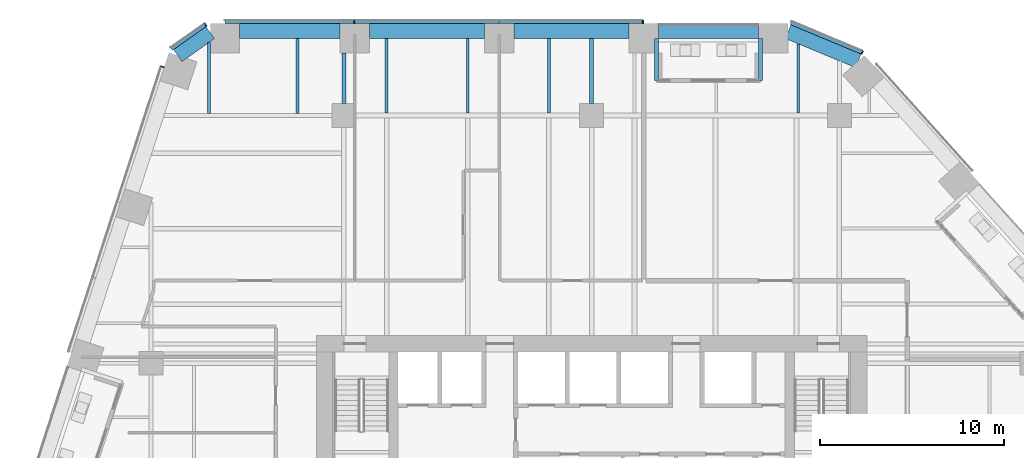
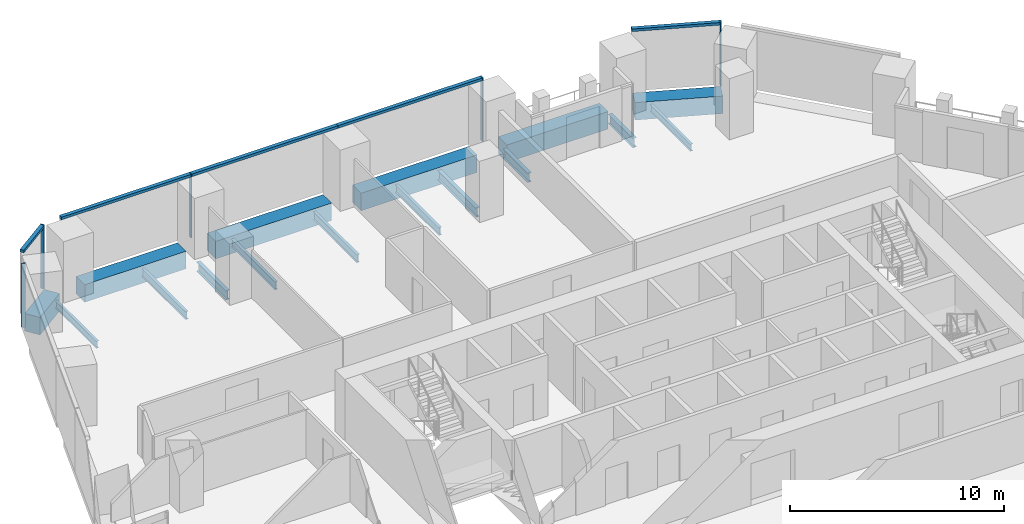
# One storey, part 14 of 28: 16 beams, 10 members, 4 elements without a shape of their own.
"""IFC4 building model written with IfcOpenShell, lengths in metres."""

from ifc_helpers import new_model, si_unit, direction, frame, origin, origin_2d, place, context, subcontext, project, spatial, rectangle, i_section, extrude, material, layer, layer_set, material_profile, profile_set, type_object, element, aggregate, save


model = new_model("IFC4")

# Units and contexts
model_context = context("Model", 3, precision=1e-05, world=origin(), true_north=direction((0.0, 1.0)))
body_context = subcontext(model_context, "Body", "Model", "MODEL_VIEW")
ifc_project = project(units=[si_unit("LENGTHUNIT", "METRE"), si_unit("AREAUNIT", "SQUARE_METRE"), si_unit("VOLUMEUNIT", "CUBIC_METRE"), si_unit("PLANEANGLEUNIT", "RADIAN"), si_unit("MASSUNIT", "GRAM", prefix="KILO")], contexts=[model_context])

# Site, building, storey
site_placement = place(None, origin())
site = spatial("IfcSite", under=ifc_project, at=site_placement, CompositionType="ELEMENT")
building_placement = place(site_placement, origin())
building = spatial("IfcBuilding", under=site, at=building_placement, Name="Isthmus Gate Tower", CompositionType="ELEMENT")
storey_placement = place(building_placement, frame((0.0, 0.0, 98.89990234375)))
storey = spatial("IfcBuildingStorey", under=building, at=storey_placement, Name="L23", CompositionType="ELEMENT", Elevation=98.89990234375)

# Curtain wall, members
ifc_material_1 = material(Name="Aluminium, pale champagne anodised", Category="aluminium")
ifc_layer = layer(ifc_material_1, 0.199951171875)
ifc_layer_set = layer_set([ifc_layer], Name="CW-1 UNITISED CURTAIN WALL 200 DEEP")
curtain_wall_type = type_object("IfcCurtainWallType", Name="CW-1 UNITISED CURTAIN WALL 200 DEEP", PredefinedType="NOTDEFINED", material=ifc_layer_set)
curtain_wall_1_placement = place(storey_placement, origin())
curtain_wall_1 = element("IfcCurtainWall", 1, at=curtain_wall_1_placement, inside=storey, type_object=curtain_wall_type, Name="CW-1 N L23", PredefinedType="NOTDEFINED")
ifc_material_2 = material(Name="Aluminium, pale champagne anodised", Category="aluminium")
ifc_material_profile_1 = material_profile(ifc_material_2, rectangle(XDim=0.06005859375, YDim=0.199951171875, at=origin_2d()), Name="60x200")
ifc_profile_set_1 = profile_set([ifc_material_profile_1], Name="Aluminium, pale champagne anodised")
member_type_1 = type_object("IfcMemberType", Name="CW-1 MULLION 60 X 200", PredefinedType="MULLION", material=ifc_profile_set_1)
member_1_placement = place(storey_placement, frame((2.80224609375, 32.10009765625, 0.0), z_axis=(0.0, 0.0, 1.0), x_axis=(-1.0, 0.0, 0.0)))
member_1 = element("IfcMember", 2, at=member_1_placement, type_object=member_type_1, Name="CW-1 mullion", PredefinedType="MULLION", context=body_context, shape_type="SweptSolid", body=[
    extrude(rectangle(XDim=0.06005859375, YDim=0.199951171875, at=origin_2d()), origin(), (0.0, 0.0, 1.0), 3.650146484375),
])
member_2_placement = place(storey_placement, frame((-12.936767578125, 32.10009765625, 0.0), z_axis=(0.0, 0.0, 1.0), x_axis=(-1.0, 0.0, 0.0)))
member_2 = element("IfcMember", 3, at=member_2_placement, type_object=member_type_1, Name="CW-1 mullion", PredefinedType="MULLION", context=body_context, shape_type="SweptSolid", body=[
    extrude(rectangle(XDim=0.06005859375, YDim=0.199951171875, at=origin_2d()), origin(), (0.0, 0.0, 1.0), 3.650146484375),
])

# Curtain wall, member
curtain_wall_2_placement = place(storey_placement, origin())
curtain_wall_2 = element("IfcCurtainWall", 4, at=curtain_wall_2_placement, inside=storey, type_object=curtain_wall_type, Name="CW-1 N-NW L23", PredefinedType="NOTDEFINED")
member_3_placement = place(storey_placement, frame((-21.031005859375, 31.943115234375, 0.0), z_axis=(0.0, 0.0, 1.0), x_axis=(-0.81785959165, -0.57541783805, 0.0)))
member_3 = element("IfcMember", 5, at=member_3_placement, type_object=member_type_1, Name="CW-1 mullion", PredefinedType="MULLION", context=body_context, shape_type="SweptSolid", body=[
    extrude(rectangle(XDim=0.06005859375, YDim=0.199951171875, at=origin_2d()), origin(), (0.0, 0.0, 1.0), 3.650146484375),
])

curtain_wall_3_placement = place(storey_placement, origin())
curtain_wall_3 = element("IfcCurtainWall", 6, at=curtain_wall_3_placement, inside=storey, type_object=curtain_wall_type, Name="CW-1 NW L23", PredefinedType="NOTDEFINED")
member_4_placement = place(storey_placement, frame((-23.380615234375, 29.656494140625, 0.0), z_axis=(0.0, 0.0, 1.0), x_axis=(-0.309016994375, -0.951056516295, 0.0)))
member_4 = element("IfcMember", 7, at=member_4_placement, type_object=member_type_1, Name="CW-1 mullion", PredefinedType="MULLION", context=body_context, shape_type="SweptSolid", body=[
    extrude(rectangle(XDim=0.06005859375, YDim=0.199951171875, at=origin_2d()), origin(), (0.0, 0.0, 1.0), 3.650146484375),
])
aggregate(curtain_wall_3, [member_4])

curtain_wall_4_placement = place(storey_placement, origin())
curtain_wall_4 = element("IfcCurtainWall", 8, at=curtain_wall_4_placement, inside=storey, type_object=curtain_wall_type, Name="CW-1 NE-N L23", PredefinedType="NOTDEFINED")
member_5_placement = place(storey_placement, frame((14.744140625, 30.427490234375, 0.0), z_axis=(0.0, 0.0, 1.0), x_axis=(-0.923353128387, 0.383951820282, 0.0)))
member_5 = element("IfcMember", 9, at=member_5_placement, type_object=member_type_1, Name="CW-1 mullion", PredefinedType="MULLION", context=body_context, shape_type="SweptSolid", body=[
    extrude(rectangle(XDim=0.06005859375, YDim=0.199951171875, at=origin_2d()), origin(), (0.0, 0.0, 1.0), 3.650146484375),
])

# Member
ifc_material_3 = material(Name="Aluminium, pale champagne anodised", Category="aluminium")
ifc_material_profile_2 = material_profile(ifc_material_3, rectangle(XDim=0.199951171875, YDim=0.14990234375, at=origin_2d()), Name="200x150")
ifc_profile_set_2 = profile_set([ifc_material_profile_2], Name="Aluminium, pale champagne anodised")
member_type_2 = type_object("IfcMemberType", Name="CW-1 TRANSOM 200 X 150", PredefinedType="USERDEFINED", material=ifc_profile_set_2)
member_6_placement = place(storey_placement, frame((2.772216796875, 32.10009765625, 3.5751953125), z_axis=(-1.0, 0.0, 0.0), x_axis=(0.0, -1.0, 0.0)))
member_6 = element("IfcMember", 10, at=member_6_placement, type_object=member_type_2, Name="CW-1 transom", ObjectType="TRANSOM", PredefinedType="USERDEFINED", context=body_context, shape_type="SweptSolid", body=[
    extrude(rectangle(XDim=0.199951171875, YDim=0.14990234375, at=origin_2d()), origin(), (0.0, 0.0, 1.0), 7.809326171875),
])

member_7_placement = place(storey_placement, frame((-5.037109375, 32.10009765625, 3.5751953125), z_axis=(-1.0, 0.0, 0.0), x_axis=(0.0, -1.0, 0.0)))
member_7 = element("IfcMember", 11, at=member_7_placement, type_object=member_type_2, Name="CW-1 transom", ObjectType="TRANSOM", PredefinedType="USERDEFINED", context=body_context, shape_type="SweptSolid", body=[
    extrude(rectangle(XDim=0.199951171875, YDim=0.14990234375, at=origin_2d()), origin(), (0.0, 0.0, 1.0), 7.86962890625),
])

member_8_placement = place(storey_placement, frame((-12.966796875, 32.10009765625, 3.5751953125), z_axis=(-1.0, 0.0, 0.0), x_axis=(0.0, -1.0, 0.0)))
member_8 = element("IfcMember", 12, at=member_8_placement, type_object=member_type_2, Name="CW-1 transom", ObjectType="TRANSOM", PredefinedType="USERDEFINED", context=body_context, shape_type="SweptSolid", body=[
    extrude(rectangle(XDim=0.199951171875, YDim=0.14990234375, at=origin_2d()), origin(), (0.0, 0.0, 1.0), 7.009521484375),
])

aggregate(curtain_wall_1, [member_1, member_6, member_7, member_2, member_8])

member_9_placement = place(storey_placement, frame((-21.055419921875, 31.92578125, 3.5751953125), z_axis=(-0.817868595604, -0.575405040233, 0.0), x_axis=(0.575405040233, -0.817868595604, 0.0)))
member_9 = element("IfcMember", 13, at=member_9_placement, type_object=member_type_2, Name="CW-1 transom", ObjectType="TRANSOM", PredefinedType="USERDEFINED", context=body_context, shape_type="SweptSolid", body=[
    extrude(rectangle(XDim=0.199951171875, YDim=0.14990234375, at=origin_2d()), origin(), (0.0, 0.0, 1.0), 2.258544921875),
])

aggregate(curtain_wall_2, [member_3, member_9])

member_10_placement = place(storey_placement, frame((14.716552734375, 30.43896484375, 3.5751953125), z_axis=(-0.923358236369, 0.383939536033, 0.0), x_axis=(-0.383939536033, -0.923358236369, 0.0)))
member_10 = element("IfcMember", 14, at=member_10_placement, type_object=member_type_2, Name="CW-1 transom", ObjectType="TRANSOM", PredefinedType="USERDEFINED", context=body_context, shape_type="SweptSolid", body=[
    extrude(rectangle(XDim=0.199951171875, YDim=0.14990234375, at=origin_2d()), origin(), (0.0, 0.0, 1.0), 4.181640625),
])

aggregate(curtain_wall_4, [member_5, member_10])

# Beams
ifc_material_4 = material(Name="Concrete f'c 70 MPa", Category="concrete")
ifc_material_profile_3 = material_profile(ifc_material_4, rectangle(XDim=0.800048828125, YDim=1.0, at=origin_2d()), Name="RC 800X1000")
ifc_profile_set_3 = profile_set([ifc_material_profile_3], Name="Concrete f'c 70 MPa")
beam_type_1 = type_object("IfcBeamType", Name="RC SPANDREL 800 X 1000", PredefinedType="SPANDREL", material=ifc_profile_set_3)
beam_1_placement = place(storey_placement, frame((10.701904296875, 31.56689453125, -0.5), z_axis=(0.923334166719, -0.383997417399, 0.0), x_axis=(0.383997417399, 0.923334166719, 0.0)))
element("IfcBeam", 15, at=beam_1_placement, inside=storey, type_object=beam_type_1, Name="str-spandrel-L23-00", PredefinedType="SPANDREL", context=body_context, shape_type="SweptSolid", body=[
    extrude(rectangle(XDim=0.800048828125, YDim=1.0, at=origin_2d()), origin(), (0.0, 0.0, 1.0), 4.15234375),
])
beam_2_placement = place(storey_placement, frame((-22.553466796875, 30.260498046875, -0.5), z_axis=(0.817857331203, 0.575421050882, 0.0), x_axis=(-0.575421050882, 0.817857331203, 0.0)))
element("IfcBeam", 16, at=beam_2_placement, inside=storey, type_object=beam_type_1, Name="str-spandrel-L23-22", PredefinedType="SPANDREL", context=body_context, shape_type="SweptSolid", body=[
    extrude(rectangle(XDim=0.800048828125, YDim=1.0, at=origin_2d()), origin(), (0.0, 0.0, 1.0), 2.173095703125),
])
beam_3_placement = place(storey_placement, frame((-19.17626953125, 31.60009765625, -0.5), z_axis=(1.0, 0.0, 0.0), x_axis=(0.0, 1.0, 0.0)))
element("IfcBeam", 17, at=beam_3_placement, inside=storey, type_object=beam_type_1, Name="str-spandrel-L23-23", PredefinedType="SPANDREL", context=body_context, shape_type="SweptSolid", body=[
    extrude(rectangle(XDim=0.800048828125, YDim=1.0, at=origin_2d()), origin(), (0.0, 0.0, 1.0), 5.469482421875),
])
for number, where, z_axis, x_axis, name in (
    (18, (-12.106689453125, 31.60009765625, -0.5), (1.0, 0.0, 0.0), (0.0, 1.0, 0.0), "str-spandrel-L23-24"),
    (19, (-4.2373046875, 31.60009765625, -0.5), (1.0, 0.0, 0.0), (0.0, 1.0, 0.0), "str-spandrel-L23-25"),
):
    element("IfcBeam", number, at=place(storey_placement, frame(where, z_axis=z_axis, x_axis=x_axis)), inside=storey, type_object=beam_type_1, Name=name, PredefinedType="SPANDREL", context=body_context, shape_type="SweptSolid", body=[
        extrude(rectangle(XDim=0.800048828125, YDim=1.0, at=origin_2d()), origin(), (0.0, 0.0, 1.0), 6.26953125),
    ])
beam_4_placement = place(storey_placement, frame((3.63232421875, 31.60009765625, -0.5), z_axis=(1.0, 0.0, 0.0), x_axis=(0.0, 1.0, 0.0)))
element("IfcBeam", 20, at=beam_4_placement, inside=storey, type_object=beam_type_1, Name="str-spandrel-L23-26", PredefinedType="SPANDREL", context=body_context, shape_type="SweptSolid", body=[
    extrude(rectangle(XDim=0.800048828125, YDim=1.0, at=origin_2d()), origin(), (0.0, 0.0, 1.0), 5.469482421875),
])
ifc_material_5 = material(Name="Structural steel ASTM A992 Gr 50", Category="steel")
ifc_material_profile_4 = material_profile(ifc_material_5, i_section(OverallWidth=0.1396484375, OverallDepth=0.4033203125, WebThickness=0.00634765625, FlangeThickness=0.010986328125, at=origin_2d()), Name="W16X31")
ifc_profile_set_4 = profile_set([ifc_material_profile_4], Name="Structural steel ASTM A992 Gr 50")
beam_type_2 = type_object("IfcBeamType", Name="STEEL FLOOR BEAM W16X31", PredefinedType="JOIST", material=ifc_profile_set_4)
beam_5_placement = place(storey_placement, frame((-20.846435546875, 27.1142578125, -0.3515625), z_axis=(0.0, 1.0, 0.0), x_axis=(-1.0, 0.0, 0.0)))
element("IfcBeam", 21, at=beam_5_placement, inside=storey, type_object=beam_type_2, Name="str-beam-L23-11-00", PredefinedType="JOIST", context=body_context, shape_type="SweptSolid", body=[
    extrude(i_section(OverallWidth=0.1396484375, OverallDepth=0.4033203125, WebThickness=0.00634765625, FlangeThickness=0.010986328125, at=origin_2d()), origin(), (0.0, 0.0, 1.0), 3.858154296875),
])
beam_6_placement = place(storey_placement, frame((11.267578125, 27.1318359375, -0.3515625), z_axis=(0.0, 1.0, 0.0), x_axis=(-1.0, 0.0, 0.0)))
element("IfcBeam", 22, at=beam_6_placement, inside=storey, type_object=beam_type_2, Name="str-beam-L23-24-02", PredefinedType="JOIST", context=body_context, shape_type="SweptSolid", body=[
    extrude(i_section(OverallWidth=0.1396484375, OverallDepth=0.4033203125, WebThickness=0.00634765625, FlangeThickness=0.010986328125, at=origin_2d()), origin(), (0.0, 0.0, 1.0), 3.7666015625),
])
ifc_material_6 = material(Name="Structural steel ASTM A992 Gr 50", Category="steel")
ifc_material_profile_5 = material_profile(ifc_material_6, i_section(OverallWidth=0.15234375, OverallDepth=0.45068359375, WebThickness=0.0078125, FlangeThickness=0.010986328125, at=origin_2d()), Name="W18X35")
ifc_profile_set_5 = profile_set([ifc_material_profile_5], Name="Structural steel ASTM A992 Gr 50")
beam_type_3 = type_object("IfcBeamType", Name="STEEL FLOOR BEAM W18X35", PredefinedType="JOIST", material=ifc_profile_set_5)
beam_7_placement = place(storey_placement, frame((-16.0185546875, 27.1142578125, -0.375244140625), z_axis=(0.0, 1.0, 0.0), x_axis=(-1.0, 0.0, 0.0)))
element("IfcBeam", 23, at=beam_7_placement, inside=storey, type_object=beam_type_3, Name="str-beam-L23-11-01", PredefinedType="JOIST", context=body_context, shape_type="SweptSolid", body=[
    extrude(i_section(OverallWidth=0.15234375, OverallDepth=0.45068359375, WebThickness=0.0078125, FlangeThickness=0.010986328125, at=origin_2d()), origin(), (0.0, 0.0, 1.0), 4.085693359375),
])
for number, where, z_axis, x_axis, name in (
    (24, (-11.18017578125, 27.1318359375, -0.375244140625), (0.0, 1.0, 0.0), (-1.0, 0.0, 0.0), "str-beam-L23-17-00"),
    (25, (-6.75, 27.1318359375, -0.375244140625), (0.0, 1.0, 0.0), (-1.0, 0.0, 0.0), "str-beam-L23-17-01"),
    (26, (-2.31982421875, 27.1318359375, -0.375244140625), (0.0, 1.0, 0.0), (-1.0, 0.0, 0.0), "str-beam-L23-17-02"),
):
    element("IfcBeam", number, at=place(storey_placement, frame(where, z_axis=z_axis, x_axis=x_axis)), inside=storey, type_object=beam_type_3, Name=name, PredefinedType="JOIST", context=body_context, shape_type="SweptSolid", body=[
        extrude(i_section(OverallWidth=0.15234375, OverallDepth=0.45068359375, WebThickness=0.0078125, FlangeThickness=0.010986328125, at=origin_2d()), origin(), (0.0, 0.0, 1.0), 4.068115234375),
    ])
ifc_material_7 = material(Name="Structural steel ASTM A992 Gr 50", Category="steel")
ifc_material_profile_6 = material_profile(ifc_material_7, i_section(OverallWidth=0.20947265625, OverallDepth=0.533447265625, WebThickness=0.009521484375, FlangeThickness=0.015869140625, at=origin_2d()), Name="W21X62")
ifc_profile_set_6 = profile_set([ifc_material_profile_6], Name="Structural steel ASTM A992 Gr 50")
beam_type_4 = type_object("IfcBeamType", Name="STEEL GIRDER W21X62", PredefinedType="BEAM", material=ifc_profile_set_6)
beam_8_placement = place(storey_placement, frame((-13.5, 27.64990234375, -0.41650390625), z_axis=(0.0, 1.0, 0.0), x_axis=(-1.0, 0.0, 0.0)))
element("IfcBeam", 27, at=beam_8_placement, inside=storey, type_object=beam_type_4, Name="str-girder-L23-28", PredefinedType="BEAM", context=body_context, shape_type="SweptSolid", body=[
    extrude(i_section(OverallWidth=0.20947265625, OverallDepth=0.533447265625, WebThickness=0.009521484375, FlangeThickness=0.015869140625, at=origin_2d()), origin(), (0.0, 0.0, 1.0), 2.75),
])
beam_9_placement = place(storey_placement, frame((0.0, 27.64990234375, -0.41650390625), z_axis=(0.0, 1.0, 0.0), x_axis=(-1.0, 0.0, 0.0)))
element("IfcBeam", 28, at=beam_9_placement, inside=storey, type_object=beam_type_4, Name="str-girder-L23-31", PredefinedType="BEAM", context=body_context, shape_type="SweptSolid", body=[
    extrude(i_section(OverallWidth=0.20947265625, OverallDepth=0.533447265625, WebThickness=0.009521484375, FlangeThickness=0.015869140625, at=origin_2d()), origin(), (0.0, 0.0, 1.0), 3.550048828125),
])
ifc_material_8 = material(Name="Structural steel ASTM A992 Gr 50", Category="steel")
ifc_material_profile_7 = material_profile(ifc_material_8, i_section(OverallWidth=0.20947265625, OverallDepth=0.533447265625, WebThickness=0.009521484375, FlangeThickness=0.015869140625, at=origin_2d()), Name="W21X62")
ifc_profile_set_7 = profile_set([ifc_material_profile_7], Name="Structural steel ASTM A992 Gr 50")
beam_type_5 = type_object("IfcBeamType", Name="STEEL TRIMMER W21X62", PredefinedType="BEAM", material=ifc_profile_set_7)
for number, where, z_axis, x_axis, name in (
    (29, (9.20654296875, 31.199951171875, -0.41650390625), (0.0, -1.0, 0.0), (1.0, 0.0, 0.0), "str-loggiatrim-L23-01-A"),
    (30, (3.527587890625, 31.199951171875, -0.41650390625), (0.0, -1.0, 0.0), (1.0, 0.0, 0.0), "str-loggiatrim-L23-01-C"),
):
    element("IfcBeam", number, at=place(storey_placement, frame(where, z_axis=z_axis, x_axis=x_axis)), inside=storey, type_object=beam_type_5, Name=name, PredefinedType="BEAM", context=body_context, shape_type="SweptSolid", body=[
        extrude(i_section(OverallWidth=0.20947265625, OverallDepth=0.533447265625, WebThickness=0.009521484375, FlangeThickness=0.015869140625, at=origin_2d()), origin(), (0.0, 0.0, 1.0), 2.3046875),
    ])

save(model, "model.ifc")
